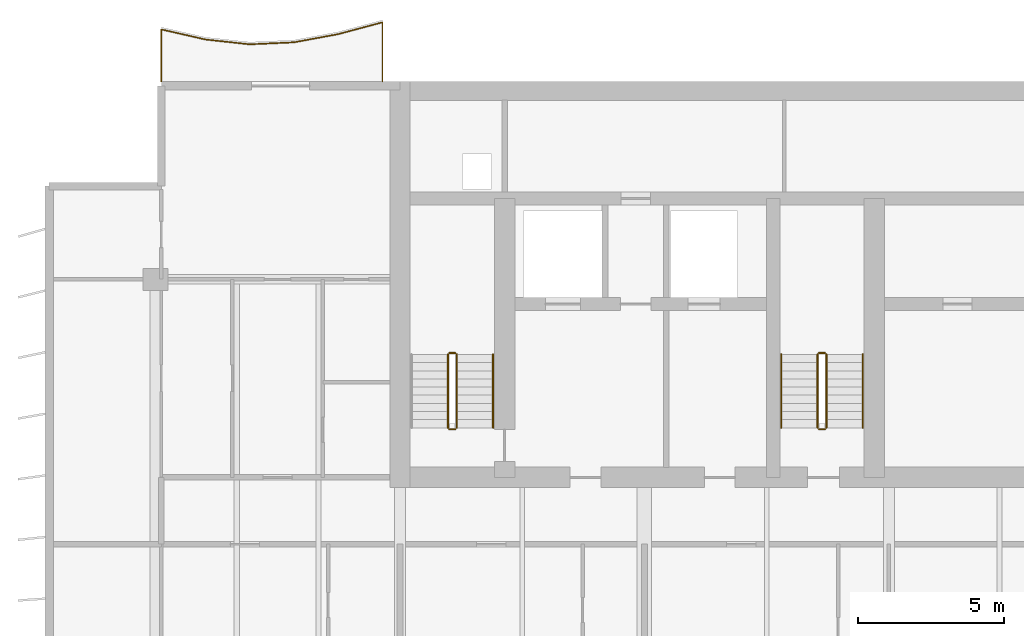
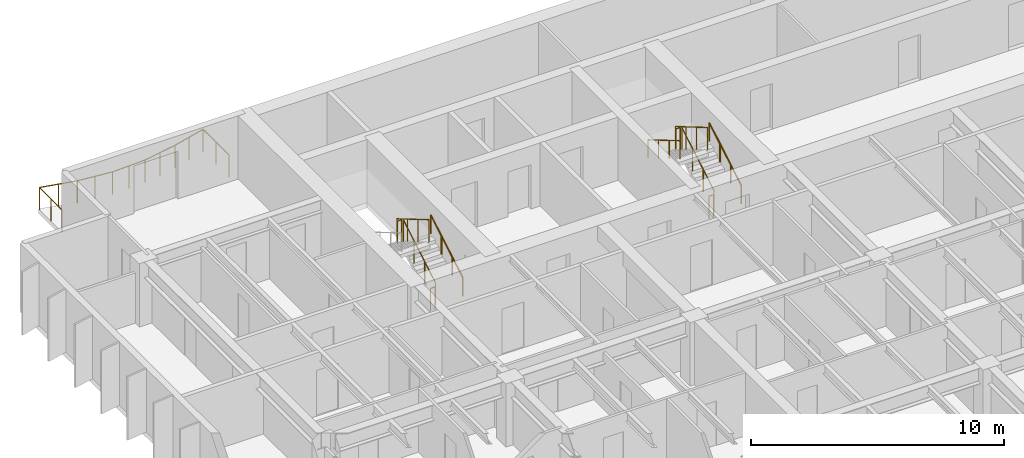
# One storey, part 15 of 17: 12 railings.
"""IFC4 building model written with IfcOpenShell, lengths in metres."""

from ifc_helpers import new_model, si_unit, direction, frame, origin, origin_2d, place, context, subcontext, project, spatial, circle, extrude, material, type_object, element, save


model = new_model("IFC4")

# Units and contexts
model_context = context("Model", 3, precision=1e-05, world=origin(), true_north=direction((0.0, 1.0)))
body_context = subcontext(model_context, "Body", "Model", "MODEL_VIEW")
ifc_project = project(units=[si_unit("LENGTHUNIT", "METRE"), si_unit("AREAUNIT", "SQUARE_METRE"), si_unit("VOLUMEUNIT", "CUBIC_METRE"), si_unit("PLANEANGLEUNIT", "RADIAN"), si_unit("MASSUNIT", "GRAM", prefix="KILO")], contexts=[model_context])

# Site, building, storey
site_placement = place(None, origin())
site = spatial("IfcSite", under=ifc_project, at=site_placement, CompositionType="ELEMENT")
building_placement = place(site_placement, origin())
building = spatial("IfcBuilding", under=site, at=building_placement, Name="Caelmar Bay Residences", CompositionType="ELEMENT")
storey_placement = place(building_placement, frame((0.0, 0.0, 201.60009765625)))
storey = spatial("IfcBuildingStorey", under=building, at=storey_placement, Name="L56", CompositionType="ELEMENT", Elevation=201.60009765625)

# Railings
ifc_material_1 = material(Name="Anodised bronze handrail with laminated hurricane glass infill", Category="glass")
railing_type_1 = type_object("IfcRailingType", Name="RL-BAL-1100", PredefinedType="BALUSTRADE", material=ifc_material_1)
railing_1_placement = place(storey_placement, frame((17.699951171875, 50.60009765625, 0.0)))
element("IfcRailing", 1, at=railing_1_placement, inside=storey, type_object=railing_type_1, Name="L56 north_west Balcony Balustrade", PredefinedType="BALUSTRADE", context=body_context, shape_type="SweptSolid", body=[
    extrude(circle(Radius=0.02392578125, at=origin_2d()), frame((0.0, 0.0, 1.076171875), z_axis=(0.0, 1.0, 0.0), x_axis=(-1.0, 0.0, 0.0)), (0.0, 0.0, 1.0), 2.031005859375),
    extrude(circle(Radius=0.02392578125, at=origin_2d()), frame((0.0, 2.031005859375, 1.076171875), z_axis=(-0.966206600501, -0.25776889872, 0.0), x_axis=(0.25776889872, -0.966206600501, 0.0)), (0.0, 0.0, 1.0), 1.5732421875),
    extrude(circle(Radius=0.02392578125, at=origin_2d()), frame((-1.52001953125, 1.62548828125, 1.076171875), z_axis=(-0.983309224326, -0.181942214331, 0.0), x_axis=(0.181942214331, -0.983309224326, 0.0)), (0.0, 0.0, 1.0), 1.5458984375),
    extrude(circle(Radius=0.02392578125, at=origin_2d()), frame((-3.0400390625, 1.34423828125, 1.076171875), z_axis=(-0.998975805625, -0.045247538899, 0.0), x_axis=(0.045247538899, -0.998975805625, 0.0)), (0.0, 0.0, 1.0), 1.521484375),
    extrude(circle(Radius=0.02392578125, at=origin_2d()), frame((-4.56005859375, 1.275390625, 1.076171875), z_axis=(-0.994138121061, 0.108117511319, 0.0), x_axis=(-0.108117511319, -0.994138121061, 0.0)), (0.0, 0.0, 1.0), 1.52880859375),
    extrude(circle(Radius=0.02392578125, at=origin_2d()), frame((-6.079833984375, 1.440673828125, 1.076171875), z_axis=(-0.974861421848, 0.222812046786, 0.0), x_axis=(-0.222812046786, -0.974861421848, 0.0)), (0.0, 0.0, 1.0), 1.559326171875),
    extrude(circle(Radius=0.02392578125, at=origin_2d()), frame((-7.599853515625, 1.7880859375, 1.076171875), z_axis=(0.0, -1.0, 0.0), x_axis=(1.0, 0.0, 0.0)), (0.0, 0.0, 1.0), 1.7880859375),
    extrude(circle(Radius=0.02099609375, at=origin_2d()), origin(), (0.0, 0.0, 1.0), 1.052001953125),
    extrude(circle(Radius=0.02099609375, at=origin_2d()), frame((0.0, 1.015625, 0.0)), (0.0, 0.0, 1.0), 1.052001953125),
    extrude(circle(Radius=0.02099609375, at=origin_2d()), frame((0.0, 2.031005859375, 0.0)), (0.0, 0.0, 1.0), 1.052001953125),
    extrude(circle(Radius=0.02099609375, at=origin_2d()), frame((-0.760009765625, 1.828125, 0.0)), (0.0, 0.0, 1.0), 1.052001953125),
    extrude(circle(Radius=0.02099609375, at=origin_2d()), frame((-1.52001953125, 1.62548828125, 0.0)), (0.0, 0.0, 1.0), 1.052001953125),
    extrude(circle(Radius=0.02099609375, at=origin_2d()), frame((-2.280029296875, 1.48486328125, 0.0)), (0.0, 0.0, 1.0), 1.052001953125),
    extrude(circle(Radius=0.02099609375, at=origin_2d()), frame((-3.0400390625, 1.34423828125, 0.0)), (0.0, 0.0, 1.0), 1.052001953125),
    extrude(circle(Radius=0.02099609375, at=origin_2d()), frame((-3.800048828125, 1.309814453125, 0.0)), (0.0, 0.0, 1.0), 1.052001953125),
    extrude(circle(Radius=0.02099609375, at=origin_2d()), frame((-4.56005859375, 1.275390625, 0.0)), (0.0, 0.0, 1.0), 1.052001953125),
    extrude(circle(Radius=0.02099609375, at=origin_2d()), frame((-5.31982421875, 1.35791015625, 0.0)), (0.0, 0.0, 1.0), 1.052001953125),
    extrude(circle(Radius=0.02099609375, at=origin_2d()), frame((-6.079833984375, 1.440673828125, 0.0)), (0.0, 0.0, 1.0), 1.052001953125),
    extrude(circle(Radius=0.02099609375, at=origin_2d()), frame((-6.83984375, 1.6142578125, 0.0)), (0.0, 0.0, 1.0), 1.052001953125),
    extrude(circle(Radius=0.02099609375, at=origin_2d()), frame((-7.599853515625, 1.7880859375, 0.0)), (0.0, 0.0, 1.0), 1.052001953125),
    extrude(circle(Radius=0.02099609375, at=origin_2d()), frame((-7.599853515625, 0.89404296875, 0.0)), (0.0, 0.0, 1.0), 1.052001953125),
    extrude(circle(Radius=0.02099609375, at=origin_2d()), frame((-7.599853515625, 0.0, 0.0)), (0.0, 0.0, 1.0), 1.052001953125),
])
ifc_material_2 = material(Name="Painted galvanized steel stair guard 1100 mm", Category="steel")
railing_type_2 = type_object("IfcRailingType", Name="RL-GRD-1100", PredefinedType="GUARDRAIL", material=ifc_material_2)
railing_2_placement = place(storey_placement, frame((20.25, 38.699951171875, 0.164794921875)))
element("IfcRailing", 2, at=railing_2_placement, inside=storey, type_object=railing_type_2, Name="L56 ST1 stair guard 1", PredefinedType="GUARDRAIL", context=body_context, shape_type="SweptSolid", body=[
    extrude(circle(Radius=0.02392578125, at=origin_2d()), frame((0.0, 0.0, 1.076171875), z_axis=(0.0, 0.86152411907, 0.507716645641), x_axis=(-1.0, 0.0, 0.0)), (0.0, 0.0, 1.0), 2.925048828125),
    extrude(circle(Radius=0.02099609375, at=origin_2d()), origin(), (0.0, 0.0, 1.0), 1.052001953125),
    extrude(circle(Radius=0.02099609375, at=origin_2d()), frame((0.0, 0.840087890625, 0.4951171875)), (0.0, 0.0, 1.0), 1.052001953125),
    extrude(circle(Radius=0.02099609375, at=origin_2d()), frame((0.0, 1.679931640625, 0.989990234375)), (0.0, 0.0, 1.0), 1.052001953125),
    extrude(circle(Radius=0.02099609375, at=origin_2d()), frame((0.0, 2.52001953125, 1.485107421875)), (0.0, 0.0, 1.0), 1.052001953125),
])
railing_3_placement = place(storey_placement, frame((20.199951171875, 41.27001953125, 1.64990234375)))
element("IfcRailing", 3, at=railing_3_placement, inside=storey, type_object=railing_type_2, Name="L56 ST1 stair guard 2", PredefinedType="GUARDRAIL", context=body_context, shape_type="SweptSolid", body=[
    extrude(circle(Radius=0.02392578125, at=origin_2d()), frame((0.0, 0.0, 1.076171875), z_axis=(-1.0, 0.0, 0.0), x_axis=(0.0, -1.0, 0.0)), (0.0, 0.0, 1.0), 0.199951171875),
    extrude(circle(Radius=0.02099609375, at=origin_2d()), origin(), (0.0, 0.0, 1.0), 1.052001953125),
    extrude(circle(Radius=0.02099609375, at=origin_2d()), frame((-0.199951171875, 0.0, 0.0)), (0.0, 0.0, 1.0), 1.052001953125),
])
railing_4_placement = place(storey_placement, frame((19.949951171875, 41.219970703125, 1.81494140625)))
element("IfcRailing", 4, at=railing_4_placement, inside=storey, type_object=railing_type_2, Name="L56 ST1 stair guard 3", PredefinedType="GUARDRAIL", context=body_context, shape_type="SweptSolid", body=[
    extrude(circle(Radius=0.02392578125, at=origin_2d()), frame((0.0, 0.0, 1.076171875), z_axis=(0.0, -0.861560626758, 0.507654692109), x_axis=(1.0, 0.0, 0.0)), (0.0, 0.0, 1.0), 2.925048828125),
    extrude(circle(Radius=0.02099609375, at=origin_2d()), origin(), (0.0, 0.0, 1.0), 1.052001953125),
    extrude(circle(Radius=0.02099609375, at=origin_2d()), frame((0.0, -0.840087890625, 0.494873046875)), (0.0, 0.0, 1.0), 1.052001953125),
    extrude(circle(Radius=0.02099609375, at=origin_2d()), frame((0.0, -1.679931640625, 0.989990234375)), (0.0, 0.0, 1.0), 1.052001953125),
    extrude(circle(Radius=0.02099609375, at=origin_2d()), frame((0.0, -2.52001953125, 1.48486328125)), (0.0, 0.0, 1.0), 1.052001953125),
])
railing_5_placement = place(storey_placement, frame((20.199951171875, 38.64990234375, 0.0)))
element("IfcRailing", 5, at=railing_5_placement, inside=storey, type_object=railing_type_2, Name="L56 ST1 stair guard 4", PredefinedType="GUARDRAIL", context=body_context, shape_type="SweptSolid", body=[
    extrude(circle(Radius=0.02392578125, at=origin_2d()), frame((0.0, 0.0, 1.076171875), z_axis=(-1.0, 0.0, 0.0), x_axis=(0.0, -1.0, 0.0)), (0.0, 0.0, 1.0), 0.199951171875),
    extrude(circle(Radius=0.02099609375, at=origin_2d()), origin(), (0.0, 0.0, 1.0), 1.052001953125),
    extrude(circle(Radius=0.02099609375, at=origin_2d()), frame((-0.199951171875, 0.0, 0.0)), (0.0, 0.0, 1.0), 1.052001953125),
])
railing_6_placement = place(storey_placement, frame((32.949951171875, 38.699951171875, 0.164794921875)))
element("IfcRailing", 6, at=railing_6_placement, inside=storey, type_object=railing_type_2, Name="L56 ST3 stair guard 1", PredefinedType="GUARDRAIL", context=body_context, shape_type="SweptSolid", body=[
    extrude(circle(Radius=0.02392578125, at=origin_2d()), frame((0.0, 0.0, 1.076171875), z_axis=(0.0, 0.86152411907, 0.507716645641), x_axis=(-1.0, 0.0, 0.0)), (0.0, 0.0, 1.0), 2.925048828125),
    extrude(circle(Radius=0.02099609375, at=origin_2d()), origin(), (0.0, 0.0, 1.0), 1.052001953125),
    extrude(circle(Radius=0.02099609375, at=origin_2d()), frame((0.0, 0.840087890625, 0.4951171875)), (0.0, 0.0, 1.0), 1.052001953125),
    extrude(circle(Radius=0.02099609375, at=origin_2d()), frame((0.0, 1.679931640625, 0.989990234375)), (0.0, 0.0, 1.0), 1.052001953125),
    extrude(circle(Radius=0.02099609375, at=origin_2d()), frame((0.0, 2.52001953125, 1.485107421875)), (0.0, 0.0, 1.0), 1.052001953125),
])
railing_7_placement = place(storey_placement, frame((32.89990234375, 41.27001953125, 1.64990234375)))
element("IfcRailing", 7, at=railing_7_placement, inside=storey, type_object=railing_type_2, Name="L56 ST3 stair guard 2", PredefinedType="GUARDRAIL", context=body_context, shape_type="SweptSolid", body=[
    extrude(circle(Radius=0.02392578125, at=origin_2d()), frame((0.0, 0.0, 1.076171875), z_axis=(-1.0, 0.0, 0.0), x_axis=(0.0, -1.0, 0.0)), (0.0, 0.0, 1.0), 0.199951171875),
    extrude(circle(Radius=0.02099609375, at=origin_2d()), origin(), (0.0, 0.0, 1.0), 1.052001953125),
    extrude(circle(Radius=0.02099609375, at=origin_2d()), frame((-0.199951171875, 0.0, 0.0)), (0.0, 0.0, 1.0), 1.052001953125),
])
railing_8_placement = place(storey_placement, frame((32.64990234375, 41.219970703125, 1.81494140625)))
element("IfcRailing", 8, at=railing_8_placement, inside=storey, type_object=railing_type_2, Name="L56 ST3 stair guard 3", PredefinedType="GUARDRAIL", context=body_context, shape_type="SweptSolid", body=[
    extrude(circle(Radius=0.02392578125, at=origin_2d()), frame((0.0, 0.0, 1.076171875), z_axis=(0.0, -0.861560626758, 0.507654692109), x_axis=(1.0, 0.0, 0.0)), (0.0, 0.0, 1.0), 2.925048828125),
    extrude(circle(Radius=0.02099609375, at=origin_2d()), origin(), (0.0, 0.0, 1.0), 1.052001953125),
    extrude(circle(Radius=0.02099609375, at=origin_2d()), frame((0.0, -0.840087890625, 0.494873046875)), (0.0, 0.0, 1.0), 1.052001953125),
    extrude(circle(Radius=0.02099609375, at=origin_2d()), frame((0.0, -1.679931640625, 0.989990234375)), (0.0, 0.0, 1.0), 1.052001953125),
    extrude(circle(Radius=0.02099609375, at=origin_2d()), frame((0.0, -2.52001953125, 1.48486328125)), (0.0, 0.0, 1.0), 1.052001953125),
])
railing_9_placement = place(storey_placement, frame((32.89990234375, 38.64990234375, 0.0)))
element("IfcRailing", 9, at=railing_9_placement, inside=storey, type_object=railing_type_2, Name="L56 ST3 stair guard 4", PredefinedType="GUARDRAIL", context=body_context, shape_type="SweptSolid", body=[
    extrude(circle(Radius=0.02392578125, at=origin_2d()), frame((0.0, 0.0, 1.076171875), z_axis=(-1.0, 0.0, 0.0), x_axis=(0.0, -1.0, 0.0)), (0.0, 0.0, 1.0), 0.199951171875),
    extrude(circle(Radius=0.02099609375, at=origin_2d()), origin(), (0.0, 0.0, 1.0), 1.052001953125),
    extrude(circle(Radius=0.02099609375, at=origin_2d()), frame((-0.199951171875, 0.0, 0.0)), (0.0, 0.0, 1.0), 1.052001953125),
])
ifc_material_3 = material(Name="Brushed bronze stainless-steel tubular handrail 900 mm", Category="steel")
railing_type_3 = type_object("IfcRailingType", Name="RL-HND-900", PredefinedType="HANDRAIL", material=ifc_material_3)
for number, where, name in (
    (10, (21.5, 38.699951171875, 0.164794921875), "L56 ST1 stair handrail 1"),
    (11, (34.199951171875, 38.699951171875, 0.164794921875), "L56 ST3 stair handrail 1"),
):
    element("IfcRailing", number, at=place(storey_placement, frame(where)), inside=storey, type_object=railing_type_3, Name=name, PredefinedType="HANDRAIL", context=body_context, shape_type="SweptSolid", body=[
        extrude(circle(Radius=0.02392578125, at=origin_2d()), frame((0.0, 0.0, 0.8759765625), z_axis=(0.0, 0.86152411907, 0.507716645641), x_axis=(-1.0, 0.0, 0.0)), (0.0, 0.0, 1.0), 2.925048828125),
        extrude(circle(Radius=0.02099609375, at=origin_2d()), origin(), (0.0, 0.0, 1.0), 0.851806640625),
        extrude(circle(Radius=0.02099609375, at=origin_2d()), frame((0.0, 0.840087890625, 0.4951171875)), (0.0, 0.0, 1.0), 0.851806640625),
        extrude(circle(Radius=0.02099609375, at=origin_2d()), frame((0.0, 1.679931640625, 0.989990234375)), (0.0, 0.0, 1.0), 0.851806640625),
        extrude(circle(Radius=0.02099609375, at=origin_2d()), frame((0.0, 2.52001953125, 1.485107421875)), (0.0, 0.0, 1.0), 0.851806640625),
    ])
railing_10_placement = place(storey_placement, frame((31.39990234375, 41.219970703125, 1.81494140625)))
element("IfcRailing", 12, at=railing_10_placement, inside=storey, type_object=railing_type_3, Name="L56 ST3 stair handrail 2", PredefinedType="HANDRAIL", context=body_context, shape_type="SweptSolid", body=[
    extrude(circle(Radius=0.02392578125, at=origin_2d()), frame((0.0, 0.0, 0.8759765625), z_axis=(0.0, -0.861560626758, 0.507654692109), x_axis=(1.0, 0.0, 0.0)), (0.0, 0.0, 1.0), 2.925048828125),
    extrude(circle(Radius=0.02099609375, at=origin_2d()), origin(), (0.0, 0.0, 1.0), 0.851806640625),
    extrude(circle(Radius=0.02099609375, at=origin_2d()), frame((0.0, -0.840087890625, 0.494873046875)), (0.0, 0.0, 1.0), 0.851806640625),
    extrude(circle(Radius=0.02099609375, at=origin_2d()), frame((0.0, -1.679931640625, 0.989990234375)), (0.0, 0.0, 1.0), 0.851806640625),
    extrude(circle(Radius=0.02099609375, at=origin_2d()), frame((0.0, -2.52001953125, 1.48486328125)), (0.0, 0.0, 1.0), 0.851806640625),
])

save(model, "model.ifc")
